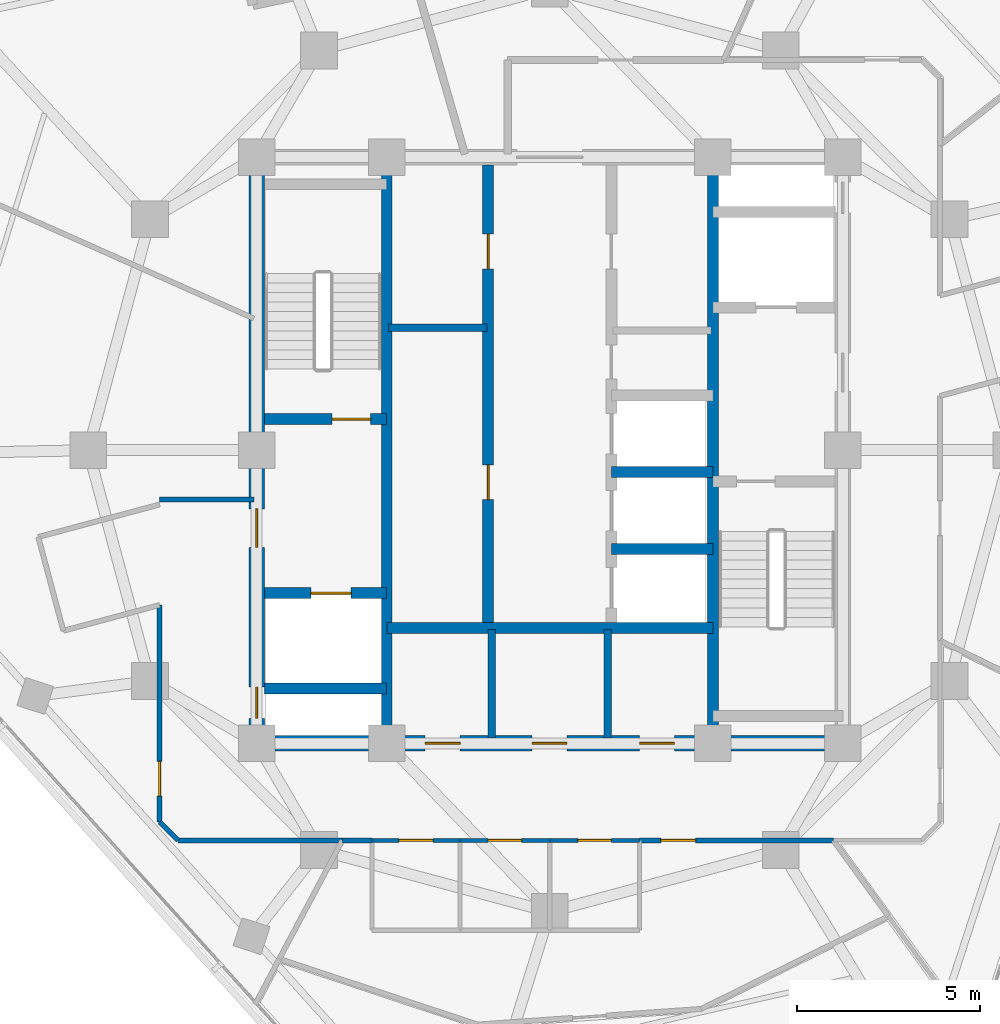
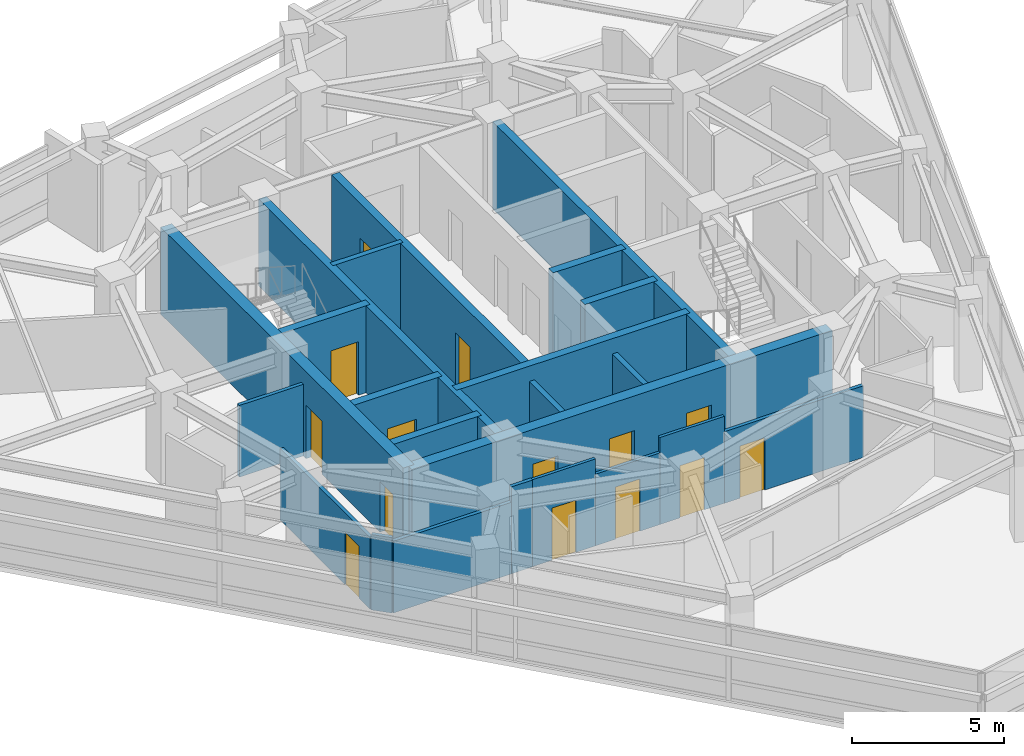
# One storey, part 8 of 15: 23 walls, 14 doors, 14 openings.
"""IFC4 building model written with IfcOpenShell, lengths in metres."""

from ifc_helpers import new_model, si_unit, direction, frame, frame_2d, origin, place, context, subcontext, project, spatial, rectangle, extrude, material, layer, layer_set, type_object, element, fill, save


model = new_model("IFC4")

# Units and contexts
model_context = context("Model", 3, precision=1e-05, world=origin(), true_north=direction((0.0, 1.0)))
body_context = subcontext(model_context, "Body", "Model", "MODEL_VIEW")
ifc_project = project(units=[si_unit("LENGTHUNIT", "METRE"), si_unit("AREAUNIT", "SQUARE_METRE"), si_unit("VOLUMEUNIT", "CUBIC_METRE"), si_unit("PLANEANGLEUNIT", "RADIAN"), si_unit("MASSUNIT", "GRAM", prefix="KILO")], contexts=[model_context])

# Site, building, storey
site_placement = place(None, origin())
site = spatial("IfcSite", under=ifc_project, at=site_placement, CompositionType="ELEMENT")
building_placement = place(site_placement, origin())
building = spatial("IfcBuilding", under=site, at=building_placement, Name="Terralouvre Media Tower", CompositionType="ELEMENT")
storey_placement = place(building_placement, frame((0.0, 0.0, 301.699951171875)))
storey = spatial("IfcBuildingStorey", under=building, at=storey_placement, Name="L78", CompositionType="ELEMENT", Elevation=301.699951171875)

# Walls
ifc_material_1 = material(Name="Concrete C50/60", Category="concrete")
ifc_layer_1 = layer(ifc_material_1, 0.300048828125, Name="Core Internal Shaft Wall CW-300")
ifc_layer_set_1 = layer_set([ifc_layer_1], Name="Concrete C50/60")
wall_type_1 = type_object("IfcWallType", Name="Core Internal Shaft Wall CW-300", PredefinedType="SHEAR", material=ifc_layer_set_1)
for number, where, z_axis, x_axis, name in (
    (1, (-4.449951171875, -7.7900390625, 0.0), (0.0, 0.0, 1.0), (0.0, 1.0, 0.0), "L78 Core Shaft Wall SPW"),
    (2, (4.449951171875, -7.7900390625, 0.0), (0.0, 0.0, 1.0), (0.0, 1.0, 0.0), "L78 Core Shaft Wall SPE"),
):
    element("IfcWall", number, at=place(storey_placement, frame(where, z_axis=z_axis, x_axis=x_axis)), inside=storey, type_object=wall_type_1, Name=name, PredefinedType="SHEAR", context=body_context, shape_type="SweptSolid", body=[
        extrude(rectangle(XDim=15.580078125, YDim=0.300048828125, at=frame_2d((7.7900390625, 0.0))), origin(), (0.0, 0.0, 1.0), 3.5),
    ])

# Wall, opening, door
wall_1_placement = place(storey_placement, frame((-7.7900390625, 0.85009765625, 0.0), z_axis=(0.0, 0.0, 1.0), x_axis=(1.0, 0.0, 0.0)))
wall_1 = element("IfcWall", 3, at=wall_1_placement, inside=storey, type_object=wall_type_1, Name="L78 Core Shaft Wall ST1D", PredefinedType="SHEAR", context=body_context, shape_type="SweptSolid", body=[
    extrude(rectangle(XDim=3.340087890625, YDim=0.300048828125, at=frame_2d((1.669921875, 0.0))), origin(), (0.0, 0.0, 1.0), 3.5),
])
opening_1_placement = place(wall_1_placement, frame((1.85009765625, 0.0, 0.0)))
opening_1 = element("IfcOpeningElement", 4, at=opening_1_placement, cuts=wall_1, Name="Opening FD-01-105X215", PredefinedType="OPENING", context=body_context, shape_type="SweptSolid", body=[
    extrude(rectangle(XDim=1.050048828125, YDim=2.14990234375, at=frame_2d((0.52490234375, 1.074951171875))), frame((0.0, 0.159912109375, 0.0), z_axis=(0.0, -1.0, 0.0), x_axis=(1.0, 0.0, 0.0)), (0.0, 0.0, 1.0), 0.320068359375),
])
ifc_material_2 = material(Name="Galvanised steel fire-resisting leaf", Category="steel")
door_type_1 = type_object("IfcDoorType", Name="Stair and Firefighting Lobby Fire Door FD-01 (1050x2150)", OperationType="NOTDEFINED", PredefinedType="DOOR", material=ifc_material_2)
door_1_placement = place(opening_1_placement, origin())
door_1 = element("IfcDoor", 5, at=door_1_placement, inside=storey, type_object=door_type_1, Name="L78 ST-01 Exit Stair Door", OperationType="SINGLE_SWING_LEFT", OverallHeight=2.14990234375, OverallWidth=1.050048828125, PredefinedType="DOOR", context=body_context, shape_type="SweptSolid", body=[
    extrude(rectangle(XDim=1.050048828125, YDim=2.14990234375, at=frame_2d((0.52490234375, 1.074951171875))), frame((0.0, 0.02490234375, 0.0), z_axis=(0.0, -1.0, 0.0), x_axis=(1.0, 0.0, 0.0)), (0.0, 0.0, 1.0), 0.050048828125),
])
fill(opening_1, door_1)

wall_2_placement = place(storey_placement, frame((-7.7900390625, -3.89990234375, 0.0), z_axis=(0.0, 0.0, 1.0), x_axis=(1.0, 0.0, 0.0)))
wall_2 = element("IfcWall", 6, at=wall_2_placement, inside=storey, type_object=wall_type_1, Name="L78 Core Shaft Wall FF1N", PredefinedType="SHEAR", context=body_context, shape_type="SweptSolid", body=[
    extrude(rectangle(XDim=3.340087890625, YDim=0.300048828125, at=frame_2d((1.669921875, 0.0))), origin(), (0.0, 0.0, 1.0), 3.5),
])
opening_2_placement = place(wall_2_placement, frame((1.27001953125, 0.0, 0.0)))
opening_2 = element("IfcOpeningElement", 7, at=opening_2_placement, cuts=wall_2, Name="Opening LD-FF", PredefinedType="OPENING", context=body_context, shape_type="SweptSolid", body=[
    extrude(rectangle(XDim=1.10009765625, YDim=2.10009765625, at=frame_2d((0.550048828125, 1.050048828125))), frame((0.0, 0.159912109375, 0.0), z_axis=(0.0, -1.0, 0.0), x_axis=(1.0, 0.0, 0.0)), (0.0, 0.0, 1.0), 0.320068359375),
])
ifc_material_3 = material(Name="Stainless steel 316 handrail and balustrade", Category="steel")
door_type_2 = type_object("IfcDoorType", Name="Firefighting Lift Sliding Landing Door LD-FF", OperationType="SLIDING_TO_LEFT", PredefinedType="DOOR", material=ifc_material_3)
door_2_placement = place(opening_2_placement, origin())
door_2 = element("IfcDoor", 8, at=door_2_placement, inside=storey, type_object=door_type_2, Name="L78 Firefighting Lift FFL-01 Landing Door", OperationType="SLIDING_TO_LEFT", OverallHeight=2.10009765625, OverallWidth=1.10009765625, PredefinedType="DOOR", context=body_context, shape_type="SweptSolid", body=[
    extrude(rectangle(XDim=1.10009765625, YDim=2.10009765625, at=frame_2d((0.550048828125, 1.050048828125))), frame((0.0, 0.02490234375, 0.0), z_axis=(0.0, -1.0, 0.0), x_axis=(1.0, 0.0, 0.0)), (0.0, 0.0, 1.0), 0.050048828125),
])
fill(opening_2, door_2)

# Walls
wall_3_placement = place(storey_placement, frame((-7.7900390625, -6.5, 0.0), z_axis=(0.0, 0.0, 1.0), x_axis=(1.0, 0.0, 0.0)))
element("IfcWall", 9, at=wall_3_placement, inside=storey, type_object=wall_type_1, Name="L78 Core Shaft Wall FF1S", PredefinedType="SHEAR", context=body_context, shape_type="SweptSolid", body=[
    extrude(rectangle(XDim=3.340087890625, YDim=0.300048828125, at=frame_2d((1.669921875, 0.0))), origin(), (0.0, 0.0, 1.0), 3.5),
])
wall_4_placement = place(storey_placement, frame((-4.449951171875, -4.85009765625, 0.0), z_axis=(0.0, 0.0, 1.0), x_axis=(1.0, 0.0, 0.0)))
element("IfcWall", 10, at=wall_4_placement, inside=storey, type_object=wall_type_1, Name="L78 Core Shaft Wall CSBN", PredefinedType="SHEAR", context=body_context, shape_type="SweptSolid", body=[
    extrude(rectangle(XDim=8.89990234375, YDim=0.300048828125, at=frame_2d((4.449951171875, 0.0))), origin(), (0.0, 0.0, 1.0), 3.5),
])

# Wall, openings, doors
wall_5_placement = place(storey_placement, frame((-1.679931640625, -4.85009765625, 0.0), z_axis=(0.0, 0.0, 1.0), x_axis=(0.0, 1.0, 0.0)))
wall_5 = element("IfcWall", 11, at=wall_5_placement, inside=storey, type_object=wall_type_1, Name="L78 Core Shaft Wall LBW", PredefinedType="SHEAR", context=body_context, shape_type="SweptSolid", body=[
    extrude(rectangle(XDim=12.64013671875, YDim=0.300048828125, at=frame_2d((6.320068359375, 0.0))), origin(), (0.0, 0.0, 1.0), 3.5),
])
opening_3_placement = place(wall_5_placement, frame((3.5, 0.0, 0.0)))
opening_3 = element("IfcOpeningElement", 12, at=opening_3_placement, cuts=wall_5, Name="Opening FD-04-95X210", PredefinedType="OPENING", context=body_context, shape_type="SweptSolid", body=[
    extrude(rectangle(XDim=0.949951171875, YDim=2.10009765625, at=frame_2d((0.47509765625, 1.050048828125))), frame((0.0, 0.159912109375, 0.0), z_axis=(0.0, -1.0, 0.0), x_axis=(1.0, 0.0, 0.0)), (0.0, 0.0, 1.0), 0.320068359375),
])
opening_4_placement = place(wall_5_placement, frame((9.800048828125, 0.0, 0.0)))
opening_4 = element("IfcOpeningElement", 13, at=opening_4_placement, cuts=wall_5, Name="Opening FD-02-95X210", PredefinedType="OPENING", context=body_context, shape_type="SweptSolid", body=[
    extrude(rectangle(XDim=0.949951171875, YDim=2.10009765625, at=frame_2d((0.47509765625, 1.050048828125))), frame((0.0, 0.159912109375, 0.0), z_axis=(0.0, -1.0, 0.0), x_axis=(1.0, 0.0, 0.0)), (0.0, 0.0, 1.0), 0.320068359375),
])
ifc_material_4 = material(Name="Galvanised steel fire-resisting leaf", Category="steel")
door_type_3 = type_object("IfcDoorType", Name="Core Store and Service Fire Door FD-04 (950x2100)", OperationType="NOTDEFINED", PredefinedType="DOOR", material=ifc_material_4)
door_3_placement = place(opening_3_placement, origin())
door_3 = element("IfcDoor", 14, at=door_3_placement, inside=storey, type_object=door_type_3, Name="L78 Core Archive Store Door", OperationType="SINGLE_SWING_LEFT", OverallHeight=2.10009765625, OverallWidth=0.949951171875, PredefinedType="DOOR", context=body_context, shape_type="SweptSolid", body=[
    extrude(rectangle(XDim=0.949951171875, YDim=2.10009765625, at=frame_2d((0.47509765625, 1.050048828125))), frame((0.0, 0.02490234375, 0.0), z_axis=(0.0, -1.0, 0.0), x_axis=(1.0, 0.0, 0.0)), (0.0, 0.0, 1.0), 0.050048828125),
])
fill(opening_3, door_3)
ifc_material_5 = material(Name="Galvanised steel fire-resisting leaf", Category="steel")
door_type_4 = type_object("IfcDoorType", Name="Plant and Riser Fire Door FD-02 (950x2100)", OperationType="NOTDEFINED", PredefinedType="DOOR", material=ifc_material_5)
door_4_placement = place(opening_4_placement, origin())
door_4 = element("IfcDoor", 15, at=door_4_placement, inside=storey, type_object=door_type_4, Name="L78 Core AV Repeater Plant Door", OperationType="SINGLE_SWING_RIGHT", OverallHeight=2.10009765625, OverallWidth=0.949951171875, PredefinedType="DOOR", context=body_context, shape_type="SweptSolid", body=[
    extrude(rectangle(XDim=0.949951171875, YDim=2.10009765625, at=frame_2d((0.47509765625, 1.050048828125))), frame((0.0, 0.02490234375, 0.0), z_axis=(0.0, -1.0, 0.0), x_axis=(1.0, 0.0, 0.0)), (0.0, 0.0, 1.0), 0.050048828125),
])
fill(opening_4, door_4)

# Walls
for number, where, z_axis, x_axis, name in (
    (16, (1.679931640625, -2.699951171875, 0.0), (0.0, 0.0, 1.0), (1.0, 0.0, 0.0), "L78 Core Shaft Wall PLHD1"),
    (17, (1.679931640625, -0.60009765625, 0.0), (0.0, 0.0, 1.0), (1.0, 0.0, 0.0), "L78 Core Shaft Wall PLHD2"),
):
    element("IfcWall", number, at=place(storey_placement, frame(where, z_axis=z_axis, x_axis=x_axis)), inside=storey, type_object=wall_type_1, Name=name, PredefinedType="SHEAR", context=body_context, shape_type="SweptSolid", body=[
        extrude(rectangle(XDim=2.77001953125, YDim=0.300048828125, at=frame_2d((1.385009765625, 0.0))), origin(), (0.0, 0.0, 1.0), 3.5),
    ])

# Wall, openings, doors
ifc_material_6 = material(Name="Concrete C60/75", Category="concrete")
ifc_layer_2 = layer(ifc_material_6, 0.419921875, Name="Core Reinforced Concrete Shear Wall CW-420")
ifc_layer_set_2 = layer_set([ifc_layer_2], Name="Concrete C60/75")
wall_type_2 = type_object("IfcWallType", Name="Core Reinforced Concrete Shear Wall CW-420", PredefinedType="SHEAR", material=ifc_layer_set_2)
wall_6_placement = place(storey_placement, frame((-8.0, -8.0, 0.0), z_axis=(0.0, 0.0, 1.0), x_axis=(0.0, 1.0, 0.0)))
wall_6 = element("IfcWall", 18, at=wall_6_placement, inside=storey, type_object=wall_type_2, Name="L78 W Core Shear Wall", PredefinedType="SHEAR", context=body_context, shape_type="SweptSolid", body=[
    extrude(rectangle(XDim=16.0, YDim=0.419921875, at=frame_2d((8.0, 0.0))), origin(), (0.0, 0.0, 1.0), 3.5),
])
opening_5_placement = place(wall_6_placement, frame((0.68115234375, 0.0, 0.0)))
opening_5 = element("IfcOpeningElement", 19, at=opening_5_placement, cuts=wall_6, Name="Opening TD-R1", PredefinedType="OPENING", context=body_context, shape_type="SweptSolid", body=[
    extrude(rectangle(XDim=0.85009765625, YDim=2.02001953125, at=frame_2d((0.425048828125, 1.010009765625))), frame((0.0, 0.219970703125, 0.0), z_axis=(0.0, -1.0, 0.0), x_axis=(1.0, 0.0, 0.0)), (0.0, 0.0, 1.0), 0.43994140625),
])
opening_6_placement = place(wall_6_placement, frame((5.35009765625, 0.0, 0.0)))
opening_6 = element("IfcOpeningElement", 20, at=opening_6_placement, cuts=wall_6, Name="Opening FD-01-105X215", PredefinedType="OPENING", context=body_context, shape_type="SweptSolid", body=[
    extrude(rectangle(XDim=1.050048828125, YDim=2.14990234375, at=frame_2d((0.52490234375, 1.074951171875))), frame((0.0, 0.219970703125, 0.0), z_axis=(0.0, -1.0, 0.0), x_axis=(1.0, 0.0, 0.0)), (0.0, 0.0, 1.0), 0.43994140625),
])
ifc_material_7 = material(Name="Galvanised steel fire-resisting leaf", Category="steel")
door_type_5 = type_object("IfcDoorType", Name="Riser Inspection Access Trapdoor TD-R1", OperationType="NOTDEFINED", PredefinedType="TRAPDOOR", material=ifc_material_7)
door_5_placement = place(opening_5_placement, origin())
door_5 = element("IfcDoor", 21, at=door_5_placement, inside=storey, type_object=door_type_5, Name="L78 Wet Riser Access Trapdoor", OperationType="SINGLE_SWING_LEFT", OverallHeight=2.02001953125, OverallWidth=0.85009765625, PredefinedType="TRAPDOOR", context=body_context, shape_type="SweptSolid", body=[
    extrude(rectangle(XDim=0.85009765625, YDim=2.02001953125, at=frame_2d((0.425048828125, 1.010009765625))), frame((0.0, 0.02490234375, 0.0), z_axis=(0.0, -1.0, 0.0), x_axis=(1.0, 0.0, 0.0)), (0.0, 0.0, 1.0), 0.050048828125),
])
fill(opening_5, door_5)
door_6_placement = place(opening_6_placement, origin())
door_6 = element("IfcDoor", 22, at=door_6_placement, inside=storey, type_object=door_type_1, Name="L78 West Firefighting Lobby Entry Door", OperationType="SINGLE_SWING_RIGHT", OverallHeight=2.14990234375, OverallWidth=1.050048828125, PredefinedType="DOOR", context=body_context, shape_type="SweptSolid", body=[
    extrude(rectangle(XDim=1.050048828125, YDim=2.14990234375, at=frame_2d((0.52490234375, 1.074951171875))), frame((0.0, 0.02490234375, 0.0), z_axis=(0.0, -1.0, 0.0), x_axis=(1.0, 0.0, 0.0)), (0.0, 0.0, 1.0), 0.050048828125),
])
fill(opening_6, door_6)

wall_7_placement = place(storey_placement, frame((-8.0, -8.0, 0.0), z_axis=(0.0, 0.0, 1.0), x_axis=(1.0, 0.0, 0.0)))
wall_7 = element("IfcWall", 23, at=wall_7_placement, inside=storey, type_object=wall_type_2, Name="L78 S Core Shear Wall", PredefinedType="SHEAR", context=body_context, shape_type="SweptSolid", body=[
    extrude(rectangle(XDim=16.0, YDim=0.419921875, at=frame_2d((8.0, 0.0))), origin(), (0.0, 0.0, 1.0), 3.5),
])
opening_7_placement = place(wall_7_placement, frame((4.60009765625, 0.0, 0.0)))
opening_7 = element("IfcOpeningElement", 24, at=opening_7_placement, cuts=wall_7, Name="Opening FD-02-95X210", PredefinedType="OPENING", context=body_context, shape_type="SweptSolid", body=[
    extrude(rectangle(XDim=0.949951171875, YDim=2.10009765625, at=frame_2d((0.47509765625, 1.050048828125))), frame((0.0, 0.219970703125, 0.0), z_axis=(0.0, -1.0, 0.0), x_axis=(1.0, 0.0, 0.0)), (0.0, 0.0, 1.0), 0.43994140625),
])
opening_8_placement = place(wall_7_placement, frame((7.52001953125, 0.0, 0.0)))
opening_8 = element("IfcOpeningElement", 25, at=opening_8_placement, cuts=wall_7, Name="Opening FD-02-95X210", PredefinedType="OPENING", context=body_context, shape_type="SweptSolid", body=[
    extrude(rectangle(XDim=0.949951171875, YDim=2.10009765625, at=frame_2d((0.47509765625, 1.050048828125))), frame((0.0, 0.219970703125, 0.0), z_axis=(0.0, -1.0, 0.0), x_axis=(1.0, 0.0, 0.0)), (0.0, 0.0, 1.0), 0.43994140625),
])
opening_9_placement = place(wall_7_placement, frame((10.449951171875, 0.0, 0.0)))
opening_9 = element("IfcOpeningElement", 26, at=opening_9_placement, cuts=wall_7, Name="Opening FD-02-95X210", PredefinedType="OPENING", context=body_context, shape_type="SweptSolid", body=[
    extrude(rectangle(XDim=0.949951171875, YDim=2.10009765625, at=frame_2d((0.47509765625, 1.050048828125))), frame((0.0, 0.219970703125, 0.0), z_axis=(0.0, -1.0, 0.0), x_axis=(1.0, 0.0, 0.0)), (0.0, 0.0, 1.0), 0.43994140625),
])
door_7_placement = place(opening_7_placement, origin())
door_7 = element("IfcDoor", 27, at=door_7_placement, inside=storey, type_object=door_type_4, Name="L78 Core Janitor Store Door", OperationType="SINGLE_SWING_LEFT", OverallHeight=2.10009765625, OverallWidth=0.949951171875, PredefinedType="DOOR", context=body_context, shape_type="SweptSolid", body=[
    extrude(rectangle(XDim=0.949951171875, YDim=2.10009765625, at=frame_2d((0.47509765625, 1.050048828125))), frame((0.0, 0.02490234375, 0.0), z_axis=(0.0, -1.0, 0.0), x_axis=(1.0, 0.0, 0.0)), (0.0, 0.0, 1.0), 0.050048828125),
])
fill(opening_7, door_7)
door_8_placement = place(opening_8_placement, origin())
door_8 = element("IfcDoor", 28, at=door_8_placement, inside=storey, type_object=door_type_4, Name="L78 Core Linen Store Door", OperationType="SINGLE_SWING_RIGHT", OverallHeight=2.10009765625, OverallWidth=0.949951171875, PredefinedType="DOOR", context=body_context, shape_type="SweptSolid", body=[
    extrude(rectangle(XDim=0.949951171875, YDim=2.10009765625, at=frame_2d((0.47509765625, 1.050048828125))), frame((0.0, 0.02490234375, 0.0), z_axis=(0.0, -1.0, 0.0), x_axis=(1.0, 0.0, 0.0)), (0.0, 0.0, 1.0), 0.050048828125),
])
fill(opening_8, door_8)
door_9_placement = place(opening_9_placement, origin())
door_9 = element("IfcDoor", 29, at=door_9_placement, inside=storey, type_object=door_type_4, Name="L78 Core Metering Plant Door", OperationType="SINGLE_SWING_LEFT", OverallHeight=2.10009765625, OverallWidth=0.949951171875, PredefinedType="DOOR", context=body_context, shape_type="SweptSolid", body=[
    extrude(rectangle(XDim=0.949951171875, YDim=2.10009765625, at=frame_2d((0.47509765625, 1.050048828125))), frame((0.0, 0.02490234375, 0.0), z_axis=(0.0, -1.0, 0.0), x_axis=(1.0, 0.0, 0.0)), (0.0, 0.0, 1.0), 0.050048828125),
])
fill(opening_9, door_9)

# Walls
ifc_material_8 = material(Name="Fire-rated gypsum board drywall partition")
ifc_layer_3 = layer(ifc_material_8, 0.199951171875, Name="Fire-Rated Shaft and Lobby Partition FW-200")
ifc_layer_set_3 = layer_set([ifc_layer_3], Name="Fire-rated gypsum board drywall partition")
wall_type_3 = type_object("IfcWallType", Name="Fire-Rated Shaft and Lobby Partition FW-200", PredefinedType="SOLIDWALL", material=ifc_layer_set_3)
for number, where, z_axis, x_axis, name in (
    (30, (-1.580078125, -7.85009765625, 0.0), (0.0, 0.0, 1.0), (0.0, 1.0, 0.0), "L78 Core Service Bay Partition 1"),
    (31, (1.580078125, -7.85009765625, 0.0), (0.0, 0.0, 1.0), (0.0, 1.0, 0.0), "L78 Core Service Bay Partition 2"),
):
    element("IfcWall", number, at=place(storey_placement, frame(where, z_axis=z_axis, x_axis=x_axis)), inside=storey, type_object=wall_type_3, Name=name, PredefinedType="SOLIDWALL", context=body_context, shape_type="SweptSolid", body=[
        extrude(rectangle(XDim=2.9501953125, YDim=0.199951171875, at=frame_2d((1.47509765625, 0.0))), origin(), (0.0, 0.0, 1.0), 2.885009765625),
    ])
wall_8_placement = place(storey_placement, frame((-4.39990234375, 3.340087890625, 0.0), z_axis=(0.0, 0.0, 1.0), x_axis=(1.0, 0.0, 0.0)))
element("IfcWall", 32, at=wall_8_placement, inside=storey, type_object=wall_type_3, Name="L78 Core West Sub-Partition 1", PredefinedType="SOLIDWALL", context=body_context, shape_type="SweptSolid", body=[
    extrude(rectangle(XDim=2.679931640625, YDim=0.199951171875, at=frame_2d((1.33984375, 0.0))), origin(), (0.0, 0.0, 1.0), 3.5),
])
ifc_material_9 = material(Name="Fire-rated gypsum board drywall partition")
ifc_layer_4 = layer(ifc_material_9, 0.135009765625, Name="Newsroom Acoustic Partition PT-135")
ifc_layer_set_4 = layer_set([ifc_layer_4], Name="Fire-rated gypsum board drywall partition")
wall_type_4 = type_object("IfcWallType", Name="Newsroom Acoustic Partition PT-135", PredefinedType="PARTITIONING", material=ifc_layer_set_4)
wall_9_placement = place(storey_placement, frame((-8.080078125, -1.35009765625, 0.0), z_axis=(0.0, 0.0, 1.0), x_axis=(-1.0, 0.0, 0.0)))
element("IfcWall", 33, at=wall_9_placement, inside=storey, type_object=wall_type_4, Name="L78 Interior Partition 001", PredefinedType="PARTITIONING", context=body_context, shape_type="SweptSolid", body=[
    extrude(rectangle(XDim=2.56982421875, YDim=0.135009765625, at=frame_2d((1.284912109375, 0.0))), origin(), (0.0, 0.0, 1.0), 2.885009765625),
])

# Wall, opening, door
wall_10_placement = place(storey_placement, frame((-10.64990234375, -4.22509765625, 0.0), z_axis=(0.0, 0.0, 1.0), x_axis=(0.0, -1.0, 0.0)))
wall_10 = element("IfcWall", 34, at=wall_10_placement, inside=storey, type_object=wall_type_4, Name="L78 Interior Partition 005", PredefinedType="PARTITIONING", context=body_context, shape_type="SweptSolid", body=[
    extrude(rectangle(XDim=5.9248046875, YDim=0.135009765625, at=frame_2d((2.96240234375, 0.0))), origin(), (0.0, 0.0, 1.0), 2.885009765625),
])
opening_10_placement = place(wall_10_placement, frame((4.264892578125, 0.0, 0.0)))
opening_10 = element("IfcOpeningElement", 35, at=opening_10_placement, cuts=wall_10, Name="Opening ID-02-95X210", PredefinedType="OPENING", context=body_context, shape_type="SweptSolid", body=[
    extrude(rectangle(XDim=0.949951171875, YDim=2.10009765625, at=frame_2d((0.47509765625, 1.050048828125))), frame((0.0, 0.077392578125, 0.0), z_axis=(0.0, -1.0, 0.0), x_axis=(1.0, 0.0, 0.0)), (0.0, 0.0, 1.0), 0.155029296875),
])
ifc_material_10 = material(Name="Engineered hardwood acoustic timber leaf", Category="wood")
door_type_6 = type_object("IfcDoorType", Name="Office and Meeting Room Door ID-02 (950x2100)", OperationType="NOTDEFINED", PredefinedType="DOOR", material=ifc_material_10)
door_10_placement = place(opening_10_placement, origin())
door_10 = element("IfcDoor", 36, at=door_10_placement, inside=storey, type_object=door_type_6, Name="L78 Digital Asset Vault Store 1 Door", OperationType="SINGLE_SWING_RIGHT", OverallHeight=2.10009765625, OverallWidth=0.949951171875, PredefinedType="DOOR", context=body_context, shape_type="SweptSolid", body=[
    extrude(rectangle(XDim=0.949951171875, YDim=2.10009765625, at=frame_2d((0.47509765625, 1.050048828125))), frame((0.0, 0.02490234375, 0.0), z_axis=(0.0, -1.0, 0.0), x_axis=(1.0, 0.0, 0.0)), (0.0, 0.0, 1.0), 0.050048828125),
])
fill(opening_10, door_10)

# Walls
wall_11_placement = place(storey_placement, frame((-10.64990234375, -10.14990234375, 0.0), z_axis=(0.0, 0.0, 1.0), x_axis=(0.707106781187, -0.707106781187, 0.0)))
element("IfcWall", 37, at=wall_11_placement, inside=storey, type_object=wall_type_4, Name="L78 Interior Partition 006", PredefinedType="PARTITIONING", context=body_context, shape_type="SweptSolid", body=[
    extrude(rectangle(XDim=0.70703125, YDim=0.135009765625, at=frame_2d((0.353515625, 0.0))), origin(), (0.0, 0.0, 1.0), 3.03515625),
])
wall_12_placement = place(storey_placement, frame((-10.14990234375, -10.64990234375, 0.0), z_axis=(0.0, 0.0, 1.0), x_axis=(1.0, 0.0, 0.0)))
element("IfcWall", 38, at=wall_12_placement, inside=storey, type_object=wall_type_4, Name="L78 Interior Partition 007", PredefinedType="PARTITIONING", context=body_context, shape_type="SweptSolid", body=[
    extrude(rectangle(XDim=4.48681640625, YDim=0.135009765625, at=frame_2d((2.243408203125, 0.0))), origin(), (0.0, 0.0, 1.0), 2.885009765625),
])
wall_13_placement = place(storey_placement, frame((-5.6630859375, -10.64990234375, 0.0), z_axis=(0.0, 0.0, 1.0), x_axis=(1.0, 0.0, 0.0)))
element("IfcWall", 39, at=wall_13_placement, inside=storey, type_object=wall_type_4, Name="L78 Interior Partition 016", PredefinedType="PARTITIONING", context=body_context, shape_type="SweptSolid", body=[
    extrude(rectangle(XDim=0.81298828125, YDim=0.135009765625, at=frame_2d((0.406494140625, 0.0))), origin(), (0.0, 0.0, 1.0), 3.5),
])

# Wall, opening, door
wall_14_placement = place(storey_placement, frame((2.449951171875, -10.64990234375, 0.0), z_axis=(0.0, 0.0, 1.0), x_axis=(1.0, 0.0, 0.0)))
wall_14 = element("IfcWall", 40, at=wall_14_placement, inside=storey, type_object=wall_type_4, Name="L78 Interior Partition 017", PredefinedType="PARTITIONING", context=body_context, shape_type="SweptSolid", body=[
    extrude(rectangle(XDim=5.2880859375, YDim=0.135009765625, at=frame_2d((2.64404296875, 0.0))), origin(), (0.0, 0.0, 1.0), 2.885009765625),
])
opening_11_placement = place(wall_14_placement, frame((0.58251953125, 0.0, 0.0)))
opening_11 = element("IfcOpeningElement", 41, at=opening_11_placement, cuts=wall_14, Name="Opening ID-02-95X210", PredefinedType="OPENING", context=body_context, shape_type="SweptSolid", body=[
    extrude(rectangle(XDim=0.949951171875, YDim=2.10009765625, at=frame_2d((0.47509765625, 1.050048828125))), frame((0.0, 0.077392578125, 0.0), z_axis=(0.0, -1.0, 0.0), x_axis=(1.0, 0.0, 0.0)), (0.0, 0.0, 1.0), 0.155029296875),
])
door_11_placement = place(opening_11_placement, origin())
door_11 = element("IfcDoor", 42, at=door_11_placement, inside=storey, type_object=door_type_6, Name="L78 Data Visualization Workspace 3 Door", OperationType="SINGLE_SWING_LEFT", OverallHeight=2.10009765625, OverallWidth=0.949951171875, PredefinedType="DOOR", context=body_context, shape_type="SweptSolid", body=[
    extrude(rectangle(XDim=0.949951171875, YDim=2.10009765625, at=frame_2d((0.47509765625, 1.050048828125))), frame((0.0, 0.02490234375, 0.0), z_axis=(0.0, -1.0, 0.0), x_axis=(1.0, 0.0, 0.0)), (0.0, 0.0, 1.0), 0.050048828125),
])
fill(opening_11, door_11)

ifc_material_11 = material(Name="Fire-rated gypsum board drywall partition")
ifc_layer_5 = layer(ifc_material_11, 0.114990234375, Name="Restroom and Pantry Partition PT-115")
ifc_layer_set_5 = layer_set([ifc_layer_5], Name="Fire-rated gypsum board drywall partition")
wall_type_5 = type_object("IfcWallType", Name="Restroom and Pantry Partition PT-115", PredefinedType="PARTITIONING", material=ifc_layer_set_5)
wall_15_placement = place(storey_placement, frame((-4.85009765625, -10.64990234375, 0.0), z_axis=(0.0, 0.0, 1.0), x_axis=(1.0, 0.0, 0.0)))
wall_15 = element("IfcWall", 43, at=wall_15_placement, inside=storey, type_object=wall_type_5, Name="L78 Interior Partition 013", PredefinedType="PARTITIONING", context=body_context, shape_type="SweptSolid", body=[
    extrude(rectangle(XDim=2.400146484375, YDim=0.114990234375, at=frame_2d((1.2001953125, 0.0))), origin(), (0.0, 0.0, 1.0), 3.5),
])
opening_12_placement = place(wall_15_placement, frame((0.739990234375, 0.0, 0.0)))
opening_12 = element("IfcOpeningElement", 44, at=opening_12_placement, cuts=wall_15, Name="Opening ID-03-92X210", PredefinedType="OPENING", context=body_context, shape_type="SweptSolid", body=[
    extrude(rectangle(XDim=0.919921875, YDim=2.10009765625, at=frame_2d((0.4599609375, 1.050048828125))), frame((0.0, 0.0673828125, 0.0), z_axis=(0.0, -1.0, 0.0), x_axis=(1.0, 0.0, 0.0)), (0.0, 0.0, 1.0), 0.135009765625),
])
ifc_material_12 = material(Name="Engineered hardwood acoustic timber leaf", Category="wood")
door_type_7 = type_object("IfcDoorType", Name="Accessible Restroom and Suite Door ID-03 (920x2100)", OperationType="NOTDEFINED", PredefinedType="DOOR", material=ifc_material_12)
door_12_placement = place(opening_12_placement, origin())
door_12 = element("IfcDoor", 45, at=door_12_placement, inside=storey, type_object=door_type_7, Name="L78 Male Restroom WC Door", OperationType="SINGLE_SWING_RIGHT", OverallHeight=2.10009765625, OverallWidth=0.919921875, PredefinedType="DOOR", context=body_context, shape_type="SweptSolid", body=[
    extrude(rectangle(XDim=0.919921875, YDim=2.10009765625, at=frame_2d((0.4599609375, 1.050048828125))), frame((0.0, 0.02490234375, 0.0), z_axis=(0.0, -1.0, 0.0), x_axis=(1.0, 0.0, 0.0)), (0.0, 0.0, 1.0), 0.050048828125),
])
fill(opening_12, door_12)

wall_16_placement = place(storey_placement, frame((-2.449951171875, -10.64990234375, 0.0), z_axis=(0.0, 0.0, 1.0), x_axis=(1.0, 0.0, 0.0)))
wall_16 = element("IfcWall", 46, at=wall_16_placement, inside=storey, type_object=wall_type_5, Name="L78 Interior Partition 014", PredefinedType="PARTITIONING", context=body_context, shape_type="SweptSolid", body=[
    extrude(rectangle(XDim=2.449951171875, YDim=0.114990234375, at=frame_2d((1.22509765625, 0.0))), origin(), (0.0, 0.0, 1.0), 2.885009765625),
])
opening_13_placement = place(wall_16_placement, frame((0.764892578125, 0.0, 0.0)))
opening_13 = element("IfcOpeningElement", 47, at=opening_13_placement, cuts=wall_16, Name="Opening ID-03-92X210", PredefinedType="OPENING", context=body_context, shape_type="SweptSolid", body=[
    extrude(rectangle(XDim=0.919921875, YDim=2.10009765625, at=frame_2d((0.4599609375, 1.050048828125))), frame((0.0, 0.0673828125, 0.0), z_axis=(0.0, -1.0, 0.0), x_axis=(1.0, 0.0, 0.0)), (0.0, 0.0, 1.0), 0.135009765625),
])
door_13_placement = place(opening_13_placement, origin())
door_13 = element("IfcDoor", 48, at=door_13_placement, inside=storey, type_object=door_type_7, Name="L78 Female Restroom WC Door", OperationType="SINGLE_SWING_LEFT", OverallHeight=2.10009765625, OverallWidth=0.919921875, PredefinedType="DOOR", context=body_context, shape_type="SweptSolid", body=[
    extrude(rectangle(XDim=0.919921875, YDim=2.10009765625, at=frame_2d((0.4599609375, 1.050048828125))), frame((0.0, 0.02490234375, 0.0), z_axis=(0.0, -1.0, 0.0), x_axis=(1.0, 0.0, 0.0)), (0.0, 0.0, 1.0), 0.050048828125),
])
fill(opening_13, door_13)

wall_17_placement = place(storey_placement, frame((0.0, -10.64990234375, 0.0), z_axis=(0.0, 0.0, 1.0), x_axis=(1.0, 0.0, 0.0)))
wall_17 = element("IfcWall", 49, at=wall_17_placement, inside=storey, type_object=wall_type_5, Name="L78 Interior Partition 015", PredefinedType="PARTITIONING", context=body_context, shape_type="SweptSolid", body=[
    extrude(rectangle(XDim=2.449951171875, YDim=0.114990234375, at=frame_2d((1.22509765625, 0.0))), origin(), (0.0, 0.0, 1.0), 3.5),
])
opening_14_placement = place(wall_17_placement, frame((0.764892578125, 0.0, 0.0)))
opening_14 = element("IfcOpeningElement", 50, at=opening_14_placement, cuts=wall_17, Name="Opening ID-03-92X210", PredefinedType="OPENING", context=body_context, shape_type="SweptSolid", body=[
    extrude(rectangle(XDim=0.919921875, YDim=2.10009765625, at=frame_2d((0.4599609375, 1.050048828125))), frame((0.0, 0.0673828125, 0.0), z_axis=(0.0, -1.0, 0.0), x_axis=(1.0, 0.0, 0.0)), (0.0, 0.0, 1.0), 0.135009765625),
])
door_14_placement = place(opening_14_placement, origin())
door_14 = element("IfcDoor", 51, at=door_14_placement, inside=storey, type_object=door_type_7, Name="L78 Accessible Unisex WC Door", OperationType="SINGLE_SWING_RIGHT", OverallHeight=2.10009765625, OverallWidth=0.919921875, PredefinedType="DOOR", context=body_context, shape_type="SweptSolid", body=[
    extrude(rectangle(XDim=0.919921875, YDim=2.10009765625, at=frame_2d((0.4599609375, 1.050048828125))), frame((0.0, 0.02490234375, 0.0), z_axis=(0.0, -1.0, 0.0), x_axis=(1.0, 0.0, 0.0)), (0.0, 0.0, 1.0), 0.050048828125),
])
fill(opening_14, door_14)

save(model, "model.ifc")
